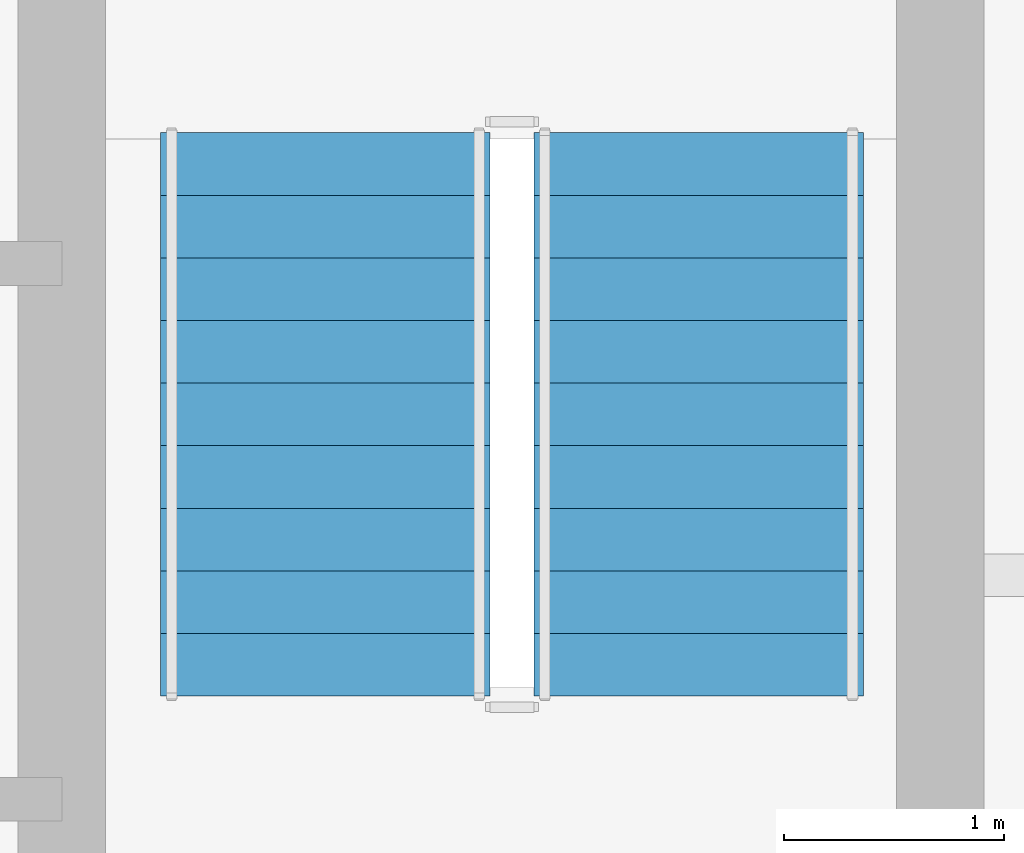
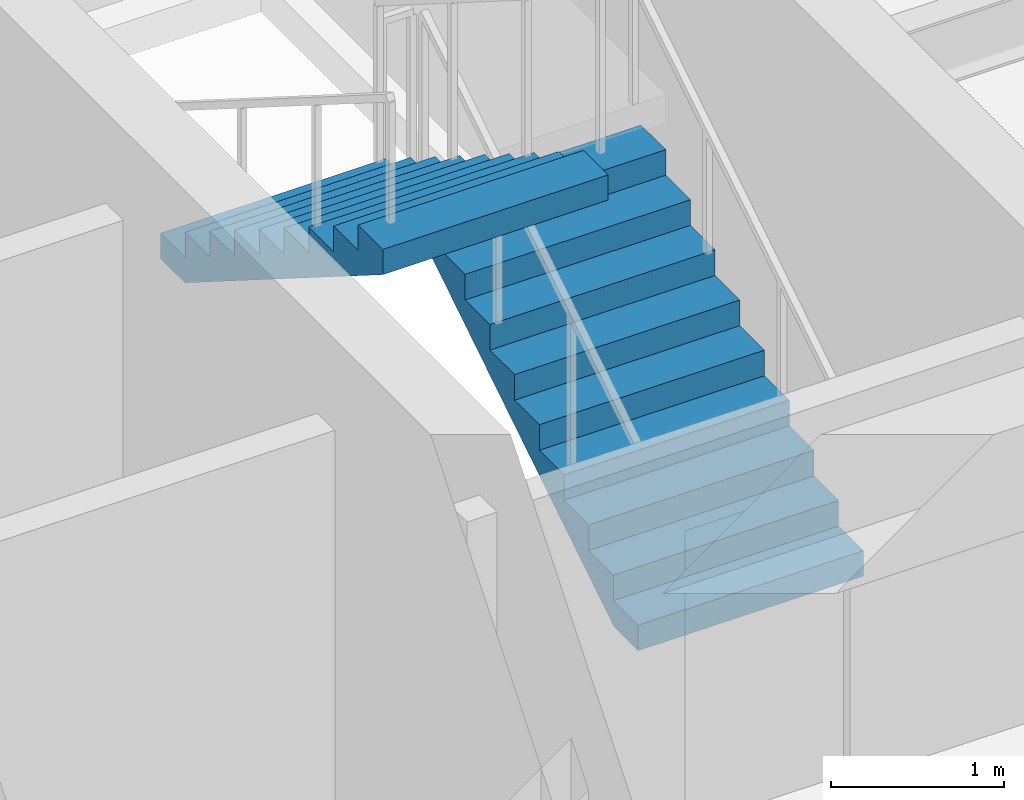
# One storey, part 20 of 23: 2 stair flights, 1 element without a shape of its own.
"""IFC4 building model written with IfcOpenShell, lengths in metres."""

from ifc_helpers import new_model, si_unit, direction, frame, origin, place, context, subcontext, project, spatial, polyline, outline, extrude, material, type_object, element, aggregate, save


model = new_model("IFC4")

# Units and contexts
model_context = context("Model", 3, precision=1e-05, world=origin(), true_north=direction((0.0, 1.0)))
body_context = subcontext(model_context, "Body", "Model", "MODEL_VIEW")
ifc_project = project(units=[si_unit("LENGTHUNIT", "METRE"), si_unit("AREAUNIT", "SQUARE_METRE"), si_unit("VOLUMEUNIT", "CUBIC_METRE"), si_unit("PLANEANGLEUNIT", "RADIAN"), si_unit("MASSUNIT", "GRAM", prefix="KILO")], contexts=[model_context])

# Site, building, storey
site_placement = place(None, origin())
site = spatial("IfcSite", under=ifc_project, at=site_placement, CompositionType="ELEMENT")
building_placement = place(site_placement, origin())
building = spatial("IfcBuilding", under=site, at=building_placement, Name="Sarneth Arch Tower", CompositionType="ELEMENT")
storey_placement = place(building_placement, frame((0.0, 0.0, 246.0)))
storey = spatial("IfcBuildingStorey", under=building, at=storey_placement, Name="L63", CompositionType="ELEMENT", Elevation=246.0)

# Stair, stair flights
ifc_material_1 = material(Name="Concrete C50/60", Category="concrete")
stair_type = type_object("IfcStairType", Name="STAIR-CORE-RC", PredefinedType="HALF_TURN_STAIR", material=ifc_material_1)
stair_placement = place(storey_placement, origin())
stair = element("IfcStair", 1, at=stair_placement, inside=storey, type_object=stair_type, Name="L63 Core Exit Stair 2", PredefinedType="HALF_TURN_STAIR")
ifc_material_2 = material(Name="Concrete C50/60", Category="concrete")
stair_flight_type = type_object("IfcStairFlightType", Name="FLIGHT-RC-1500", PredefinedType="STRAIGHT", material=ifc_material_2)
stair_flight_1_placement = place(storey_placement, frame((57.89990234375, 41.449951171875, 0.0), z_axis=(0.0, 0.0, 1.0), x_axis=(0.0, 1.0, 0.0)))
stair_flight_1 = element("IfcStairFlight", 2, at=stair_flight_1_placement, type_object=stair_flight_type, Name="ST-2 flight 1", NumberOfRisers=10, NumberOfTreads=9, PredefinedType="STRAIGHT", RiserHeight=0.18, TreadLength=0.285, context=body_context, shape_type="SweptSolid", body=[
    extrude(outline(polyline([(0.0, 0.0), (0.0, 0.179931640625), (0.284912109375, 0.179931640625), (0.284912109375, 0.360107421875), (0.570068359375, 0.360107421875), (0.570068359375, 0.5400390625), (0.85498046875, 0.5400390625), (0.85498046875, 0.719970703125), (1.139892578125, 0.719970703125), (1.139892578125, 0.89990234375), (1.425048828125, 0.89990234375), (1.425048828125, 1.080078125), (1.7099609375, 1.080078125), (1.7099609375, 1.260009765625), (1.9951171875, 1.260009765625), (1.9951171875, 1.43994140625), (2.280029296875, 1.43994140625), (2.280029296875, 1.6201171875), (2.56494140625, 1.6201171875), (2.56494140625, 1.800048828125), (2.56494140625, 1.442626953125), (0.28076171875, 0.0), (0.0, 0.0)])), frame((0.0, 0.75, 0.0), z_axis=(0.0, -1.0, 0.0), x_axis=(1.0, 0.0, 0.0)), (0.0, 0.0, 1.0), 1.5),
])
stair_flight_2_placement = place(storey_placement, frame((56.199951171875, 44.014892578125, 1.800048828125), z_axis=(0.0, 0.0, 1.0), x_axis=(0.0, -1.0, 0.0)))
stair_flight_2 = element("IfcStairFlight", 3, at=stair_flight_2_placement, type_object=stair_flight_type, Name="ST-2 flight 2", NumberOfRisers=10, NumberOfTreads=9, PredefinedType="STRAIGHT", RiserHeight=0.18, TreadLength=0.285, context=body_context, shape_type="SweptSolid", body=[
    extrude(outline(polyline([(0.0, 0.0), (0.0, 0.179931640625), (0.284912109375, 0.179931640625), (0.284912109375, 0.360107421875), (0.570068359375, 0.360107421875), (0.570068359375, 0.5400390625), (0.85498046875, 0.5400390625), (0.85498046875, 0.719970703125), (1.139892578125, 0.719970703125), (1.139892578125, 0.89990234375), (1.425048828125, 0.89990234375), (1.425048828125, 1.080078125), (1.7099609375, 1.080078125), (1.7099609375, 1.260009765625), (1.9951171875, 1.260009765625), (1.9951171875, 1.43994140625), (2.280029296875, 1.43994140625), (2.280029296875, 1.6201171875), (2.56494140625, 1.6201171875), (2.56494140625, 1.800048828125), (2.56494140625, 1.442626953125), (0.28076171875, 0.0), (0.0, 0.0)])), frame((0.0, 0.75, 0.0), z_axis=(0.0, -1.0, 0.0), x_axis=(1.0, 0.0, 0.0)), (0.0, 0.0, 1.0), 1.5),
])
aggregate(stair, [stair_flight_1, stair_flight_2])

save(model, "model.ifc")
